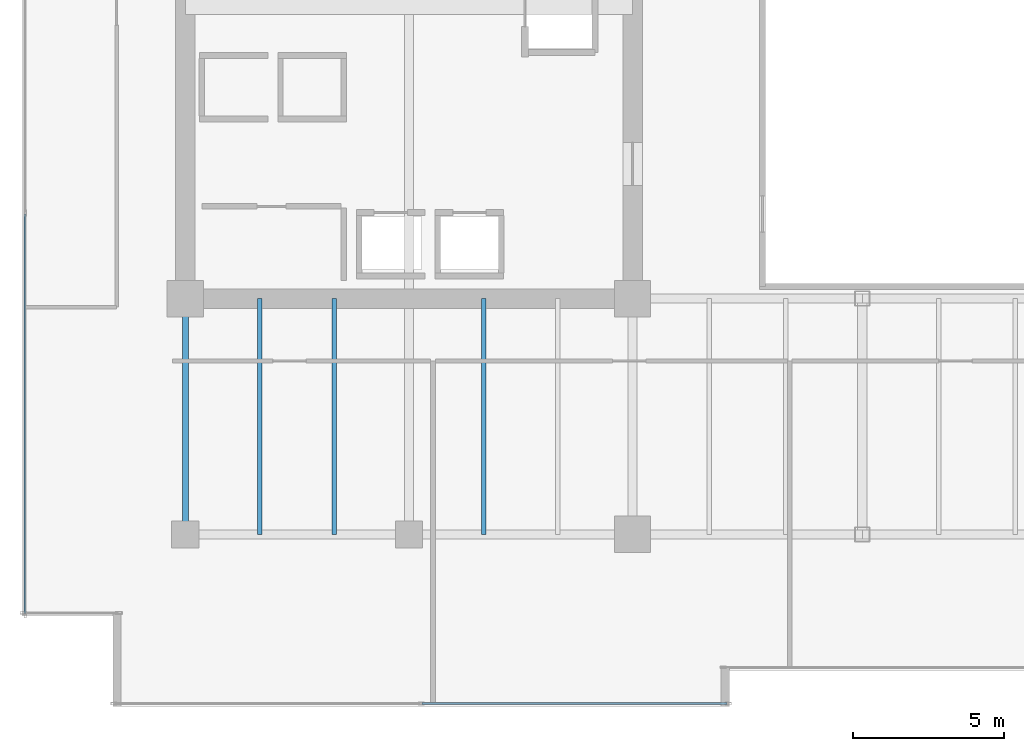
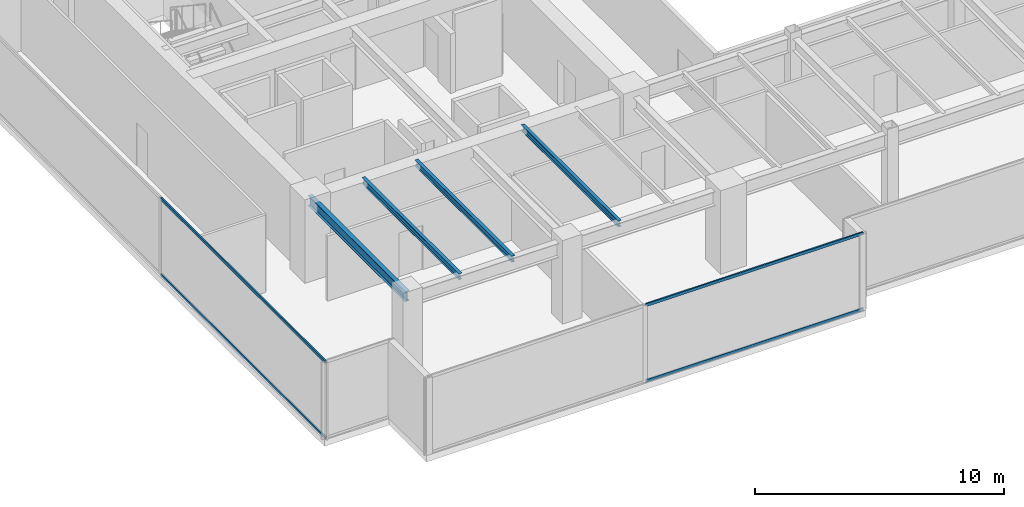
# One storey, part 3 of 30: 4 beams, 4 members, 2 elements without a shape of their own.
"""IFC4 building model written with IfcOpenShell, lengths in metres."""

from ifc_helpers import new_model, si_unit, direction, frame, origin, origin_2d, place, context, subcontext, project, spatial, hollow_rectangle, i_section, extrude, source, transform, mapped, material, layer, layer_set, material_profile, profile_set, type_object, type_shapes, element, aggregate, save


model = new_model("IFC4")

# Units and contexts
model_context = context("Model", 3, precision=1e-05, world=origin(), true_north=direction((0.0, 1.0)))
body_context = subcontext(model_context, "Body", "Model", "MODEL_VIEW")
ifc_project = project(units=[si_unit("LENGTHUNIT", "METRE"), si_unit("AREAUNIT", "SQUARE_METRE"), si_unit("VOLUMEUNIT", "CUBIC_METRE"), si_unit("PLANEANGLEUNIT", "RADIAN"), si_unit("MASSUNIT", "GRAM", prefix="KILO")], contexts=[model_context])

# Site, building, storey
site_placement = place(None, origin())
site = spatial("IfcSite", under=ifc_project, at=site_placement, CompositionType="ELEMENT")
building_placement = place(site_placement, origin())
building = spatial("IfcBuilding", under=site, at=building_placement, Name="Haelvirn Gate Laboratories", CompositionType="ELEMENT")
storey_placement = place(building_placement, frame((0.0, 0.0, 187.10009765625)))
storey = spatial("IfcBuildingStorey", under=building, at=storey_placement, Name="L45", CompositionType="ELEMENT", Elevation=187.10009765625)

# Beams
ifc_material_1 = material(Name="Steel SM355", Category="steel")
ifc_material_profile_1 = material_profile(ifc_material_1, i_section(OverallWidth=0.199951171875, OverallDepth=0.5, WebThickness=0.010009765625, FlangeThickness=0.01611328125, at=origin_2d()), Name="H-500x200x10x16")
ifc_profile_set_1 = profile_set([ifc_material_profile_1], Name="Steel SM355")
beam_type_1 = type_object("IfcBeamType", Name="BM-SP-500", PredefinedType="SPANDREL", material=ifc_profile_set_1)
shared_shape_1 = source(origin(), body_context, "Body", "SweptSolid", [
    extrude(i_section(OverallWidth=0.199951171875, OverallDepth=0.5, WebThickness=0.010009765625, FlangeThickness=0.01611328125, at=origin_2d()), origin(), (0.0, 0.0, 1.0), 7.800048828125),
])
type_shapes(beam_type_1, [shared_shape_1])
beam_placement = place(storey_placement, frame((7.39990234375, 7.0, 3.539794921875), z_axis=(0.0, 1.0, 0.0), x_axis=(-1.0, 0.0, 0.0)))
element("IfcBeam", 1, at=beam_placement, inside=storey, type_object=beam_type_1, Name="L45 Perimeter Spandrel X7.4 (7.0-14.8)", PredefinedType="SPANDREL", context=body_context, shape_type="MappedRepresentation", body=[
    mapped(shared_shape_1, transform((0.0, 0.0, 0.0), scale=1.0)),
])
ifc_material_profile_2 = material_profile(ifc_material_1, i_section(OverallWidth=0.14990234375, OverallDepth=0.300048828125, WebThickness=0.006591796875, FlangeThickness=0.009033203125, at=origin_2d()), Name="H-300x150x6.5x9")
ifc_profile_set_2 = profile_set([ifc_material_profile_2], Name="Steel SM355")
beam_type_2 = type_object("IfcBeamType", Name="BM-J-300", PredefinedType="JOIST", material=ifc_profile_set_2)
shared_shape_2 = source(origin(), body_context, "Body", "SweptSolid", [
    extrude(i_section(OverallWidth=0.14990234375, OverallDepth=0.300048828125, WebThickness=0.006591796875, FlangeThickness=0.009033203125, at=origin_2d()), origin(), (0.0, 0.0, 1.0), 7.800048828125),
])
type_shapes(beam_type_2, [shared_shape_2])
for number, where, z_axis, x_axis, name in (
    (2, (9.8701171875, 7.0, 3.639892578125), (0.0, 1.0, 0.0), (-1.0, 0.0, 0.0), "L45 Composite Lab Joist South X9.87"),
    (3, (12.330078125, 7.0, 3.639892578125), (0.0, 1.0, 0.0), (-1.0, 0.0, 0.0), "L45 Composite Lab Joist South X12.33"),
    (4, (17.27001953125, 7.0, 3.639892578125), (0.0, 1.0, 0.0), (-1.0, 0.0, 0.0), "L45 Composite Lab Joist South X17.27"),
):
    element("IfcBeam", number, at=place(storey_placement, frame(where, z_axis=z_axis, x_axis=x_axis)), inside=storey, type_object=beam_type_2, Name=name, PredefinedType="JOIST", context=body_context, shape_type="MappedRepresentation", body=[
        mapped(shared_shape_2, transform((0.0, 0.0, 0.0), scale=1.0)),
    ])

# Curtain wall, members
ifc_material_2 = material(Name="Anodised bronze unitised aluminium & triple low-E glass", Category="aluminium")
ifc_layer = layer(ifc_material_2, 0.179931640625, Name="CW-SYS-3")
ifc_layer_set = layer_set([ifc_layer], Name="Anodised bronze unitised aluminium & triple low-E glass")
curtain_wall_type = type_object("IfcCurtainWallType", Name="CW-SYS-3", PredefinedType="NOTDEFINED", material=ifc_layer_set)
curtain_wall_1_placement = place(storey_placement, origin())
curtain_wall_1 = element("IfcCurtainWall", 5, at=curtain_wall_1_placement, inside=storey, type_object=curtain_wall_type, Name="L45 Unitised Curtain Wall CW-L45-P0-E00-1", PredefinedType="NOTDEFINED")
ifc_material_3 = material(Name="Extruded aluminium 6063-T6 (anodised bronze)", Category="aluminium")
ifc_material_profile_3 = material_profile(ifc_material_3, hollow_rectangle(XDim=0.06494140625, YDim=0.139892578125, WallThickness=0.00390625, at=origin_2d()), Name="CWT-140x65x4")
ifc_profile_set_3 = profile_set([ifc_material_profile_3], Name="Extruded aluminium 6063-T6 (anodised bronze)")
member_type = type_object("IfcMemberType", Name="CWT-T140", PredefinedType="USERDEFINED", material=ifc_profile_set_3)
shared_shape_3 = source(origin(), body_context, "Body", "SweptSolid", [
    extrude(hollow_rectangle(XDim=0.06494140625, YDim=0.139892578125, WallThickness=0.00390625, at=origin_2d()), origin(), (0.0, 0.0, 1.0), 10.08740234375),
])
member_1_placement = place(storey_placement, frame((15.237548828125, 1.39990234375, 0.032470703125), z_axis=(1.0, 0.0, 0.0), x_axis=(0.0, 1.0, 0.0)))
member_1 = element("IfcMember", 6, at=member_1_placement, type_object=member_type, Name="CW3 transom 2.1", ObjectType="TRANSOM", PredefinedType="USERDEFINED", context=body_context, shape_type="MappedRepresentation", body=[
    mapped(shared_shape_3, transform((0.0, 0.0, 0.0), scale=1.0)),
])
member_2_placement = place(storey_placement, frame((15.237548828125, 1.39990234375, 3.75732421875), z_axis=(1.0, 0.0, 0.0), x_axis=(0.0, 1.0, 0.0)))
member_2 = element("IfcMember", 7, at=member_2_placement, type_object=member_type, Name="CW3 transom 2.2", ObjectType="TRANSOM", PredefinedType="USERDEFINED", context=body_context, shape_type="MappedRepresentation", body=[
    mapped(shared_shape_3, transform((0.0, 0.0, 0.0), scale=1.0)),
])
aggregate(curtain_wall_1, [member_1, member_2])

curtain_wall_2_placement = place(storey_placement, origin())
curtain_wall_2 = element("IfcCurtainWall", 8, at=curtain_wall_2_placement, inside=storey, type_object=curtain_wall_type, Name="L45 Unitised Curtain Wall CW-L45-P0-E17", PredefinedType="NOTDEFINED")
shared_shape_4 = source(origin(), body_context, "Body", "SweptSolid", [
    extrude(hollow_rectangle(XDim=0.06494140625, YDim=0.139892578125, WallThickness=0.00390625, at=origin_2d()), origin(), (0.0, 0.0, 1.0), 13.220947265625),
])
type_shapes(member_type, [shared_shape_3, shared_shape_4])
member_3_placement = place(storey_placement, frame((2.10009765625, 17.595947265625, 0.032470703125), z_axis=(0.0, -1.0, 0.0), x_axis=(1.0, 0.0, 0.0)))
member_3 = element("IfcMember", 9, at=member_3_placement, type_object=member_type, Name="CW3 transom 3.1", ObjectType="TRANSOM", PredefinedType="USERDEFINED", context=body_context, shape_type="MappedRepresentation", body=[
    mapped(shared_shape_4, transform((0.0, 0.0, 0.0), scale=1.0)),
])
member_4_placement = place(storey_placement, frame((2.10009765625, 17.595947265625, 3.75732421875), z_axis=(0.0, -1.0, 0.0), x_axis=(1.0, 0.0, 0.0)))
member_4 = element("IfcMember", 10, at=member_4_placement, type_object=member_type, Name="CW3 transom 3.2", ObjectType="TRANSOM", PredefinedType="USERDEFINED", context=body_context, shape_type="MappedRepresentation", body=[
    mapped(shared_shape_4, transform((0.0, 0.0, 0.0), scale=1.0)),
])
aggregate(curtain_wall_2, [member_3, member_4])

save(model, "model.ifc")
